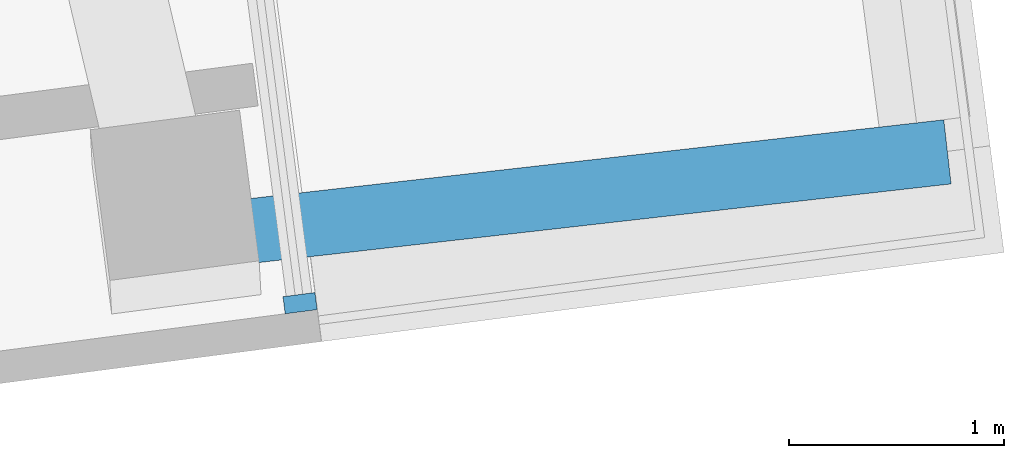
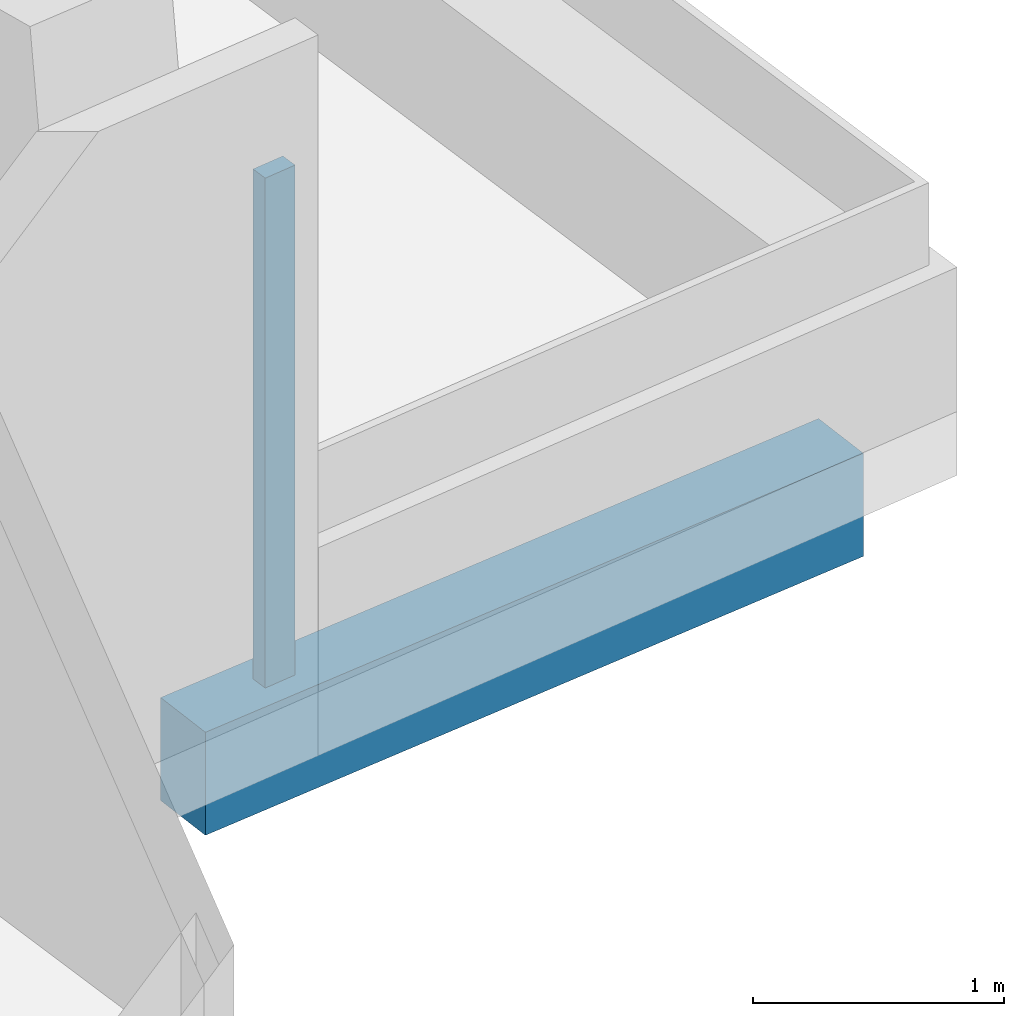
# One storey, part 6 of 25: 1 beam, 1 member, 1 element without a shape of its own.
"""IFC4 building model written with IfcOpenShell, lengths in metres."""

import ifcopenshell
import ifcopenshell.guid

model = None  # the IFC model being written
_history = None  # IfcOwnerHistory: only IFC2X3 demands one
_inside = {}  # id of a spatial element -> (the spatial element, [elements in it])
_under = {}  # id of a project, library or spatial element -> (it, [spatial elements below it])
_declared = {}  # id of a project -> (the project, [libraries it declares])
_typed = {}  # id of a type object -> (the type object, [elements of that type])
_made_of = {}  # id of a material, layer set ... -> (it, [elements and type objects made of it])


def new_model(schema):
    """Start an empty IFC model of exactly this schema.

    Asked for "IFC4X3", IfcOpenShell would pick the latest addendum, in which some entities
    have other attributes; the version numbers below select the first issue.
    IFC2X3 requires an IfcOwnerHistory on every rooted entity: one is made here for all.
    """
    global model, _history
    if schema == "IFC4X3":
        model = ifcopenshell.file(schema_version=(4, 3, 0, 0))
    else:
        model = ifcopenshell.file(schema=schema)
    _inside.clear()
    _under.clear()
    _declared.clear()
    _typed.clear()
    _made_of.clear()
    _history = None
    if model.schema == "IFC2X3":
        org = make("IfcOrganization", Name="unknown")
        user = make(
            "IfcPersonAndOrganization",
            ThePerson=make("IfcPerson", FamilyName="unknown"),
            TheOrganization=org,
        )
        app = make(
            "IfcApplication",
            ApplicationDeveloper=org,
            Version="unknown",
            ApplicationFullName="unknown",
            ApplicationIdentifier="unknown",
        )
        _history = make(
            "IfcOwnerHistory",
            OwningUser=user,
            OwningApplication=app,
            ChangeAction="ADDED",
            CreationDate=0,
        )
    return model


def make(cls, **values):
    """One entity of the class cls with the attributes given. An attribute that is None is left unset."""
    return model.create_entity(
        cls, **{name: value for name, value in values.items() if value is not None}
    )


def rooted(cls, **values):
    """An entity with a GlobalId (a new one), such as an element, a storey or a relation."""
    return make(cls, GlobalId=ifcopenshell.guid.new(), OwnerHistory=_history, **values)


def si_unit(unit_type, name, prefix=None):
    """IfcSIUnit, for example si_unit("LENGTHUNIT", "METRE", prefix="MILLI")."""
    return make("IfcSIUnit", UnitType=unit_type, Prefix=prefix, Name=name)


def assignment(units):
    """IfcUnitAssignment: the units of a project."""
    return None if units is None else make("IfcUnitAssignment", Units=units)


def point(xyz):
    """IfcCartesianPoint."""
    return None if xyz is None else make("IfcCartesianPoint", Coordinates=xyz)


def direction(xyz):
    """IfcDirection."""
    return None if xyz is None else make("IfcDirection", DirectionRatios=xyz)


def frame(location, z_axis=None, x_axis=None):
    """IfcAxis2Placement3D, a coordinate frame: its origin and axes. An axis left out is left unset."""
    return make(
        "IfcAxis2Placement3D",
        Location=point(location),
        Axis=direction(z_axis),
        RefDirection=direction(x_axis),
    )


def frame_2d(location, x_axis=None):
    """IfcAxis2Placement2D, a coordinate frame in the plane: its origin and x axis."""
    return make(
        "IfcAxis2Placement2D", Location=point(location), RefDirection=direction(x_axis)
    )


def origin():
    """The frame at (0, 0, 0) with its axes left unset."""
    return frame((0.0, 0.0, 0.0))


def origin_2d():
    """The frame at (0, 0) in the plane with its x axis left unset."""
    return frame_2d((0.0, 0.0))


def place(relative_to, where):
    """IfcLocalPlacement: puts the frame where relative to a parent placement (None: the world)."""
    return make(
        "IfcLocalPlacement", PlacementRelTo=relative_to, RelativePlacement=where
    )


def context(
    kind, dimensions, precision=None, world=None, true_north=None, identifier=None
):
    """IfcGeometricRepresentationContext, for example the 3D "Model" context."""
    return make(
        "IfcGeometricRepresentationContext",
        ContextIdentifier=identifier,
        ContextType=kind,
        CoordinateSpaceDimension=dimensions,
        Precision=precision,
        WorldCoordinateSystem=world,
        TrueNorth=true_north,
    )


def subcontext(parent, identifier, kind, view, scale=None):
    """IfcGeometricRepresentationSubContext, for example "Body" below "Model"."""
    return make(
        "IfcGeometricRepresentationSubContext",
        ContextIdentifier=identifier,
        ContextType=kind,
        ParentContext=parent,
        TargetScale=scale,
        TargetView=view,
    )


def project(units=None, contexts=None):
    """IfcProject with its units and contexts."""
    return rooted(
        "IfcProject",
        Name="project",
        RepresentationContexts=contexts,
        UnitsInContext=assignment(units),
    )


def spatial(cls, under=None, at=None, **own):
    """A site, building, storey or space (cls), placed at a placement, below another one or the project."""
    s = rooted(cls, ObjectPlacement=at, **own)
    if under is not None:
        _under.setdefault(under.id(), (under, []))[1].append(s)
    return s


def profile(cls, at=None, kind="AREA", **sizes):
    """A parametric profile (cls). Its sizes go by their IFC names, for example OverallWidth=200.0."""
    return make(cls, ProfileType=kind, Position=at, **sizes)


def rectangle(**sizes):
    """IfcRectangleProfileDef."""
    return profile("IfcRectangleProfileDef", **sizes)


def extrude(swept, where, along, depth):
    """IfcExtrudedAreaSolid: the profile swept, set in the frame where, extruded along a direction by depth."""
    return make(
        "IfcExtrudedAreaSolid",
        SweptArea=swept,
        Position=where,
        ExtrudedDirection=direction(along),
        Depth=depth,
    )


def shape(context_of_items, identifier, shape_type, items):
    """IfcShapeRepresentation: the items that make up one representation, for example the "Body"."""
    return make(
        "IfcShapeRepresentation",
        ContextOfItems=context_of_items,
        RepresentationIdentifier=identifier,
        RepresentationType=shape_type,
        Items=items,
    )


def material(Name=None, Category=None):
    """IfcMaterial."""
    return make("IfcMaterial", Name=Name, Category=Category)


def layer(
    of_material, thickness, ventilated=None, Name=None, Category=None, Priority=None
):
    """IfcMaterialLayer: one layer of a wall or slab, of a material (None: an air gap)."""
    return make(
        "IfcMaterialLayer",
        Material=of_material,
        LayerThickness=thickness,
        IsVentilated=ventilated,
        Name=Name,
        Category=Category,
        Priority=Priority,
    )


def layer_set(layers, Name=None):
    """IfcMaterialLayerSet."""
    return make("IfcMaterialLayerSet", MaterialLayers=layers, LayerSetName=Name)


def material_profile(
    of_material, cross_section, Name=None, Category=None, Priority=None
):
    """IfcMaterialProfile: a cross section and its material."""
    return make(
        "IfcMaterialProfile",
        Name=Name,
        Material=of_material,
        Profile=cross_section,
        Priority=Priority,
        Category=Category,
    )


def profile_set(profiles, Name=None, composite=None):
    """IfcMaterialProfileSet."""
    return make(
        "IfcMaterialProfileSet",
        Name=Name,
        MaterialProfiles=profiles,
        CompositeProfile=composite,
    )


def made_of(thing, what):
    """Note that an element or type object is made of a material, layer set ...; save() writes the relation."""
    if what is not None:
        _made_of.setdefault(what.id(), (what, []))[1].append(thing)
    return thing


def type_object(cls, material=None, **own):
    """A type object (cls), such as IfcWallType, which elements share."""
    return made_of(rooted(cls, **own), material)


def element(
    cls,
    number,
    at=None,
    inside=None,
    cuts=None,
    type_object=None,
    material=None,
    context=None,
    identifier="Body",
    shape_type=None,
    held_by="IfcProductDefinitionShape",
    body=None,
    shapes=None,
    **own,
):
    """One element of the class cls, such as IfcWall. Its Tag is "e" and its number.

    at: its placement. inside: the storey or other place that contains it. cuts: it is an
    opening in that element (IfcRelVoidsElement). A single representation is given by context,
    identifier, shape_type and body (its items); several are given by shapes. held_by: the class
    of the entity that holds the representations. save() writes the other relations.
    """
    e = rooted(cls, Tag="e%d" % number, ObjectPlacement=at, **own)
    if body is not None:
        shapes = [shape(context, identifier, shape_type, body)]
    if shapes is not None:
        e.Representation = make(held_by, Representations=shapes)
    if inside is not None:
        _inside.setdefault(inside.id(), (inside, []))[1].append(e)
    if cuts is not None:
        rooted(
            "IfcRelVoidsElement", RelatingBuildingElement=cuts, RelatedOpeningElement=e
        )
    if type_object is not None:
        _typed.setdefault(type_object.id(), (type_object, []))[1].append(e)
    return made_of(e, material)


def aggregate(whole, parts):
    """IfcRelAggregates: a whole, such as a stair, and the parts it consists of."""
    return rooted("IfcRelAggregates", RelatingObject=whole, RelatedObjects=parts)


def save(model, path):
    """Write the relations noted so far, then the file.

    IfcRelAggregates (storeys below a building ...), IfcRelContainedInSpatialStructure (elements
    in a storey), IfcRelDefinesByType, IfcRelAssociatesMaterial and IfcRelDeclares: one each for
    every whole, place, type object, material and project.
    """
    for whole, parts in _under.values():
        aggregate(whole, parts)
    for where, things in _inside.values():
        rooted(
            "IfcRelContainedInSpatialStructure",
            RelatedElements=things,
            RelatingStructure=where,
        )
    for kind, things in _typed.values():
        rooted("IfcRelDefinesByType", RelatedObjects=things, RelatingType=kind)
    for what, things in _made_of.values():
        rooted("IfcRelAssociatesMaterial", RelatedObjects=things, RelatingMaterial=what)
    for by, libraries in _declared.values():
        rooted("IfcRelDeclares", RelatingContext=by, RelatedDefinitions=libraries)
    model.write(path)


model = new_model("IFC4")

# Units and contexts
model_context = context("Model", 3, precision=1e-05, world=origin(), true_north=direction((0.0, 1.0)))
body_context = subcontext(model_context, "Body", "Model", "MODEL_VIEW")
ifc_project = project(units=[si_unit("LENGTHUNIT", "METRE"), si_unit("AREAUNIT", "SQUARE_METRE"), si_unit("VOLUMEUNIT", "CUBIC_METRE"), si_unit("PLANEANGLEUNIT", "RADIAN"), si_unit("MASSUNIT", "GRAM", prefix="KILO")], contexts=[model_context])

# Site, building, storey
site_placement = place(None, origin())
site = spatial("IfcSite", under=ifc_project, at=site_placement, CompositionType="ELEMENT")
building_placement = place(site_placement, origin())
building = spatial("IfcBuilding", under=site, at=building_placement, Name="Verdalira Terraces Hotel", CompositionType="ELEMENT")
storey_placement = place(building_placement, frame((0.0, 0.0, 187.0)))
storey = spatial("IfcBuildingStorey", under=building, at=storey_placement, Name="L45", CompositionType="ELEMENT", Elevation=187.0)

# Beam
ifc_material_1 = material(Name="Concrete C40", Category="concrete")
ifc_material_profile_1 = material_profile(ifc_material_1, rectangle(XDim=0.300049, YDim=0.5, at=origin_2d()), Name="RC 300X500")
ifc_profile_set_1 = profile_set([ifc_material_profile_1], Name="Concrete C40")
beam_type = type_object("IfcBeamType", Name="Balcony cantilever beam RC 300X500 C40", PredefinedType="BEAM", material=ifc_profile_set_1)
beam_placement = place(storey_placement, frame((28.667725, 1.375977, -0.560059), z_axis=(0.993613669, 0.11283562, 0.0), x_axis=(-0.11283562, 0.993613669, 0.0)))
element("IfcBeam", 1, at=beam_placement, inside=storey, type_object=beam_type, Name="Balcony cantilever beam R33-1", PredefinedType="BEAM", context=body_context, shape_type="SweptSolid", body=[
    extrude(rectangle(XDim=0.300049, YDim=0.5, at=origin_2d()), origin(), (0.0, 0.0, 1.0), 3.25415),
])

# Curtain wall, member
ifc_material_2 = material(Name="Clear glass", Category="glass")
ifc_layer = layer(ifc_material_2, 0.14990234375)
ifc_layer_set = layer_set([ifc_layer], Name="CW3 curtain wall")
curtain_wall_type = type_object("IfcCurtainWallType", Name="CW3 curtain wall", PredefinedType="NOTDEFINED", material=ifc_layer_set)
curtain_wall_placement = place(storey_placement, origin())
curtain_wall = element("IfcCurtainWall", 2, at=curtain_wall_placement, inside=storey, type_object=curtain_wall_type, Name="CW3 curtain wall L45 edge 33", PredefinedType="NOTDEFINED")
ifc_material_3 = material(Name="Terracotta frame", Category="masonry")
ifc_material_profile_2 = material_profile(ifc_material_3, rectangle(XDim=0.080078, YDim=0.149902, at=origin_2d()), Name="MU 80x150")
ifc_profile_set_2 = profile_set([ifc_material_profile_2], Name="Terracotta frame")
member_type = type_object("IfcMemberType", Name="CW3 mullion 80x150", PredefinedType="MULLION", material=ifc_profile_set_2)
member_placement = place(storey_placement, frame((28.891846, 1.039795, 0.0), z_axis=(0.0, 0.0, 1.0), x_axis=(-0.129487882, 0.991581004, 0.0)))
member = element("IfcMember", 3, at=member_placement, type_object=member_type, Name="CW3 mullion", PredefinedType="MULLION", context=body_context, shape_type="SweptSolid", body=[
    extrude(rectangle(XDim=0.080078, YDim=0.149902, at=origin_2d()), origin(), (0.0, 0.0, 1.0), 2.475098),
])
aggregate(curtain_wall, [member])

save(model, "model.ifc")
